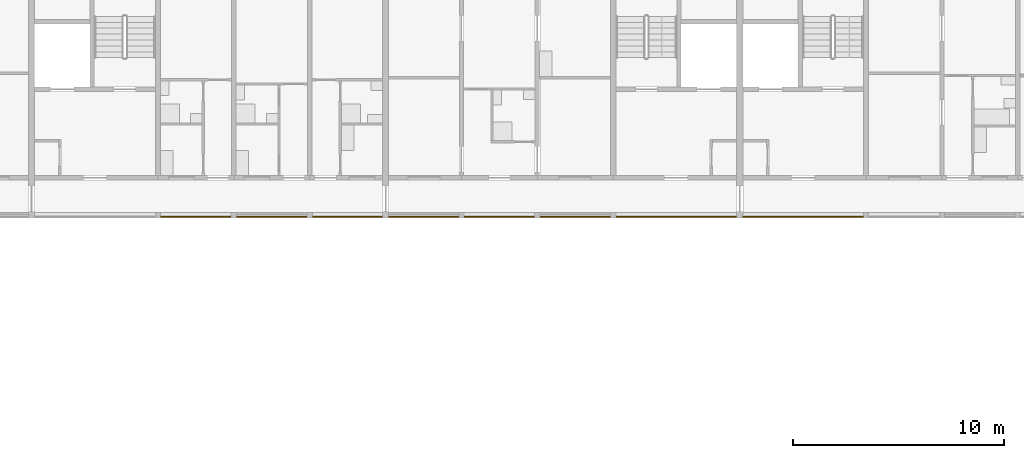
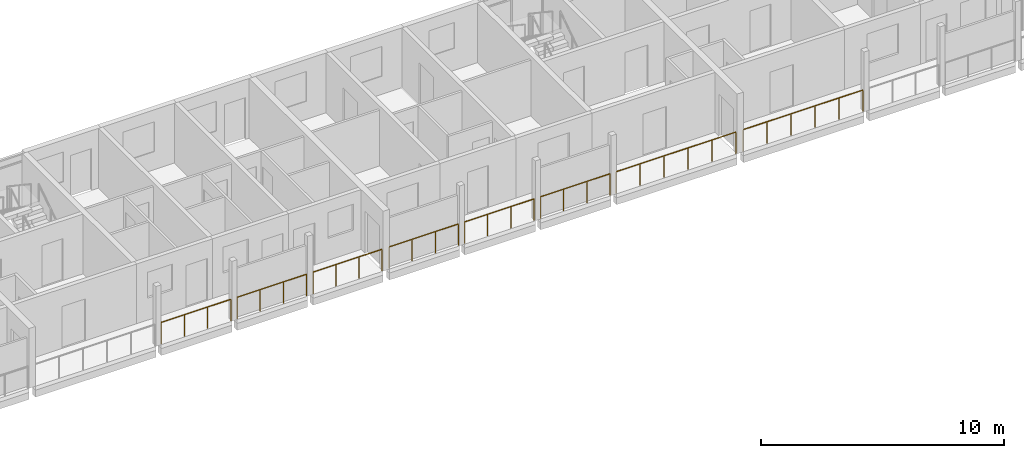
# One storey, part 93 of 98: 8 railings.
"""IFC4 building model written with IfcOpenShell, lengths in metres."""

from ifc_helpers import new_model, si_unit, direction, frame, origin, origin_2d, place, context, subcontext, project, spatial, circle, extrude, material, type_object, element, save


model = new_model("IFC4")

# Units and contexts
model_context = context("Model", 3, precision=1e-05, world=origin(), true_north=direction((0.0, 1.0)))
body_context = subcontext(model_context, "Body", "Model", "MODEL_VIEW")
ifc_project = project(units=[si_unit("LENGTHUNIT", "METRE"), si_unit("AREAUNIT", "SQUARE_METRE"), si_unit("VOLUMEUNIT", "CUBIC_METRE"), si_unit("PLANEANGLEUNIT", "RADIAN"), si_unit("MASSUNIT", "GRAM", prefix="KILO")], contexts=[model_context])

# Site, building, storey
site_placement = place(None, origin())
site = spatial("IfcSite", under=ifc_project, at=site_placement, CompositionType="ELEMENT")
building_placement = place(site_placement, origin())
building = spatial("IfcBuilding", under=site, at=building_placement, Name="Ridgestep Commons", CompositionType="ELEMENT")
storey_placement = place(building_placement, frame((0.0, 0.0, 12.0)))
storey = spatial("IfcBuildingStorey", under=building, at=storey_placement, Name="L04", CompositionType="ELEMENT", Elevation=12.0)

# Railings
ifc_material = material(Name="Structural steel S355JR", Category="steel")
railing_type = type_object("IfcRailingType", Name="Guard 1100", PredefinedType="GUARDRAIL", material=ifc_material)
railing_1_placement = place(storey_placement, frame((203.345947265625, 66.050048828125, 0.0)))
element("IfcRailing", 1, at=railing_1_placement, inside=storey, type_object=railing_type, Name="Gallery guard C 04.14", PredefinedType="GUARDRAIL", context=body_context, shape_type="SweptSolid", body=[
    extrude(circle(Radius=0.02392578125, at=origin_2d()), frame((0.0, 0.0, 1.076171875), z_axis=(1.0, 0.0, 0.0), x_axis=(0.0, 1.0, 0.0)), (0.0, 0.0, 1.0), 3.30810546875),
    extrude(circle(Radius=0.02099609375, at=origin_2d()), origin(), (0.0, 0.0, 1.0), 1.052001953125),
    extrude(circle(Radius=0.02099609375, at=origin_2d()), frame((1.102783203125, 0.0, 0.0)), (0.0, 0.0, 1.0), 1.052001953125),
    extrude(circle(Radius=0.02099609375, at=origin_2d()), frame((2.205322265625, 0.0, 0.0)), (0.0, 0.0, 1.0), 1.052001953125),
    extrude(circle(Radius=0.02099609375, at=origin_2d()), frame((3.30810546875, 0.0, 0.0)), (0.0, 0.0, 1.0), 1.052001953125),
])
railing_2_placement = place(storey_placement, frame((206.946044921875, 66.050048828125, 0.0)))
element("IfcRailing", 2, at=railing_2_placement, inside=storey, type_object=railing_type, Name="Gallery guard C 04.15", PredefinedType="GUARDRAIL", context=body_context, shape_type="SweptSolid", body=[
    extrude(circle(Radius=0.02392578125, at=origin_2d()), frame((0.0, 0.0, 1.076171875), z_axis=(1.0, 0.0, 0.0), x_axis=(0.0, 1.0, 0.0)), (0.0, 0.0, 1.0), 3.307861328125),
    extrude(circle(Radius=0.02099609375, at=origin_2d()), origin(), (0.0, 0.0, 1.0), 1.052001953125),
    extrude(circle(Radius=0.02099609375, at=origin_2d()), frame((1.1025390625, 0.0, 0.0)), (0.0, 0.0, 1.0), 1.052001953125),
    extrude(circle(Radius=0.02099609375, at=origin_2d()), frame((2.205322265625, 0.0, 0.0)), (0.0, 0.0, 1.0), 1.052001953125),
    extrude(circle(Radius=0.02099609375, at=origin_2d()), frame((3.307861328125, 0.0, 0.0)), (0.0, 0.0, 1.0), 1.052001953125),
])
for number, where, name in (
    (3, (210.5458984375, 66.050048828125, 0.0), "Gallery guard C 04.16"),
    (4, (214.1708984375, 66.050048828125, 0.0), "Gallery guard C 04.17"),
):
    element("IfcRailing", number, at=place(storey_placement, frame(where)), inside=storey, type_object=railing_type, Name=name, PredefinedType="GUARDRAIL", context=body_context, shape_type="SweptSolid", body=[
        extrude(circle(Radius=0.02392578125, at=origin_2d()), frame((0.0, 0.0, 1.076171875), z_axis=(1.0, 0.0, 0.0), x_axis=(0.0, 1.0, 0.0)), (0.0, 0.0, 1.0), 3.283203125),
        extrude(circle(Radius=0.02099609375, at=origin_2d()), origin(), (0.0, 0.0, 1.0), 1.052001953125),
        extrude(circle(Radius=0.02099609375, at=origin_2d()), frame((1.094482421875, 0.0, 0.0)), (0.0, 0.0, 1.0), 1.052001953125),
        extrude(circle(Radius=0.02099609375, at=origin_2d()), frame((2.188720703125, 0.0, 0.0)), (0.0, 0.0, 1.0), 1.052001953125),
        extrude(circle(Radius=0.02099609375, at=origin_2d()), frame((3.283203125, 0.0, 0.0)), (0.0, 0.0, 1.0), 1.052001953125),
    ])
railing_3_placement = place(storey_placement, frame((217.74609375, 66.050048828125, 0.0)))
element("IfcRailing", 5, at=railing_3_placement, inside=storey, type_object=railing_type, Name="Gallery guard C 04.18", PredefinedType="GUARDRAIL", context=body_context, shape_type="SweptSolid", body=[
    extrude(circle(Radius=0.02392578125, at=origin_2d()), frame((0.0, 0.0, 1.076171875), z_axis=(1.0, 0.0, 0.0), x_axis=(0.0, 1.0, 0.0)), (0.0, 0.0, 1.0), 3.307861328125),
    extrude(circle(Radius=0.02099609375, at=origin_2d()), origin(), (0.0, 0.0, 1.0), 1.052001953125),
    extrude(circle(Radius=0.02099609375, at=origin_2d()), frame((1.1025390625, 0.0, 0.0)), (0.0, 0.0, 1.0), 1.052001953125),
    extrude(circle(Radius=0.02099609375, at=origin_2d()), frame((2.205322265625, 0.0, 0.0)), (0.0, 0.0, 1.0), 1.052001953125),
    extrude(circle(Radius=0.02099609375, at=origin_2d()), frame((3.307861328125, 0.0, 0.0)), (0.0, 0.0, 1.0), 1.052001953125),
])
railing_4_placement = place(storey_placement, frame((221.345947265625, 66.050048828125, 0.0)))
element("IfcRailing", 6, at=railing_4_placement, inside=storey, type_object=railing_type, Name="Gallery guard C 04.19", PredefinedType="GUARDRAIL", context=body_context, shape_type="SweptSolid", body=[
    extrude(circle(Radius=0.02392578125, at=origin_2d()), frame((0.0, 0.0, 1.076171875), z_axis=(1.0, 0.0, 0.0), x_axis=(0.0, 1.0, 0.0)), (0.0, 0.0, 1.0), 3.30810546875),
    extrude(circle(Radius=0.02099609375, at=origin_2d()), origin(), (0.0, 0.0, 1.0), 1.052001953125),
    extrude(circle(Radius=0.02099609375, at=origin_2d()), frame((1.102783203125, 0.0, 0.0)), (0.0, 0.0, 1.0), 1.052001953125),
    extrude(circle(Radius=0.02099609375, at=origin_2d()), frame((2.205322265625, 0.0, 0.0)), (0.0, 0.0, 1.0), 1.052001953125),
    extrude(circle(Radius=0.02099609375, at=origin_2d()), frame((3.30810546875, 0.0, 0.0)), (0.0, 0.0, 1.0), 1.052001953125),
])
railing_5_placement = place(storey_placement, frame((224.946044921875, 66.050048828125, 0.0)))
element("IfcRailing", 7, at=railing_5_placement, inside=storey, type_object=railing_type, Name="Gallery guard C 04.20", PredefinedType="GUARDRAIL", context=body_context, shape_type="SweptSolid", body=[
    extrude(circle(Radius=0.02392578125, at=origin_2d()), frame((0.0, 0.0, 1.076171875), z_axis=(1.0, 0.0, 0.0), x_axis=(0.0, 1.0, 0.0)), (0.0, 0.0, 1.0), 5.682861328125),
    extrude(circle(Radius=0.02099609375, at=origin_2d()), origin(), (0.0, 0.0, 1.0), 1.052001953125),
    extrude(circle(Radius=0.02099609375, at=origin_2d()), frame((1.136474609375, 0.0, 0.0)), (0.0, 0.0, 1.0), 1.052001953125),
    extrude(circle(Radius=0.02099609375, at=origin_2d()), frame((2.273193359375, 0.0, 0.0)), (0.0, 0.0, 1.0), 1.052001953125),
    extrude(circle(Radius=0.02099609375, at=origin_2d()), frame((3.40966796875, 0.0, 0.0)), (0.0, 0.0, 1.0), 1.052001953125),
    extrude(circle(Radius=0.02099609375, at=origin_2d()), frame((4.54638671875, 0.0, 0.0)), (0.0, 0.0, 1.0), 1.052001953125),
    extrude(circle(Radius=0.02099609375, at=origin_2d()), frame((5.682861328125, 0.0, 0.0)), (0.0, 0.0, 1.0), 1.052001953125),
])
railing_6_placement = place(storey_placement, frame((230.970947265625, 66.050048828125, 0.0)))
element("IfcRailing", 8, at=railing_6_placement, inside=storey, type_object=railing_type, Name="Gallery guard C 04.21", PredefinedType="GUARDRAIL", context=body_context, shape_type="SweptSolid", body=[
    extrude(circle(Radius=0.02392578125, at=origin_2d()), frame((0.0, 0.0, 1.076171875), z_axis=(1.0, 0.0, 0.0), x_axis=(0.0, 1.0, 0.0)), (0.0, 0.0, 1.0), 5.68310546875),
    extrude(circle(Radius=0.02099609375, at=origin_2d()), origin(), (0.0, 0.0, 1.0), 1.052001953125),
    extrude(circle(Radius=0.02099609375, at=origin_2d()), frame((1.13671875, 0.0, 0.0)), (0.0, 0.0, 1.0), 1.052001953125),
    extrude(circle(Radius=0.02099609375, at=origin_2d()), frame((2.273193359375, 0.0, 0.0)), (0.0, 0.0, 1.0), 1.052001953125),
    extrude(circle(Radius=0.02099609375, at=origin_2d()), frame((3.409912109375, 0.0, 0.0)), (0.0, 0.0, 1.0), 1.052001953125),
    extrude(circle(Radius=0.02099609375, at=origin_2d()), frame((4.54638671875, 0.0, 0.0)), (0.0, 0.0, 1.0), 1.052001953125),
    extrude(circle(Radius=0.02099609375, at=origin_2d()), frame((5.68310546875, 0.0, 0.0)), (0.0, 0.0, 1.0), 1.052001953125),
])

save(model, "model.ifc")
